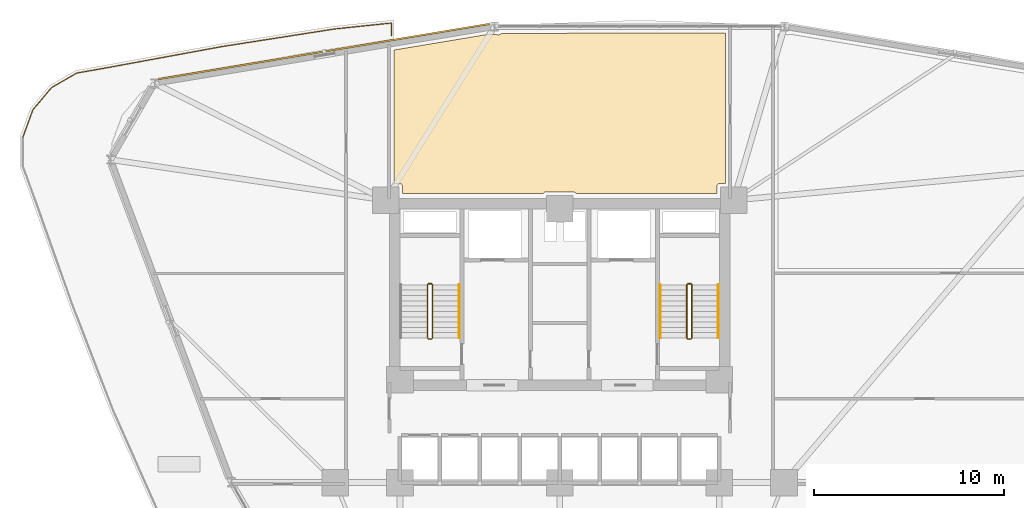
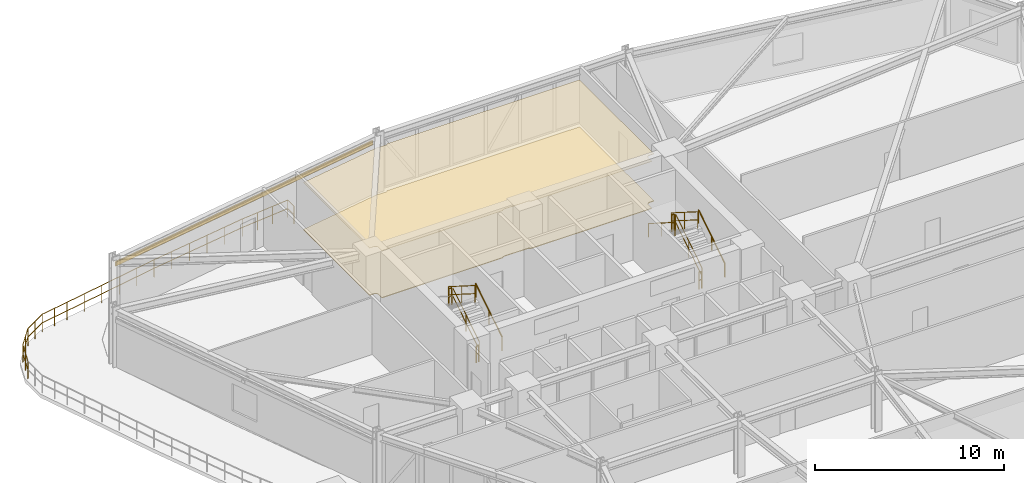
# One storey, part 20 of 21: 12 railings, 2 coverings, 1 shading device.
"""IFC4 building model written with IfcOpenShell, lengths in metres."""

from ifc_helpers import new_model, si_unit, derived_unit, direction, frame, origin, origin_2d, place, context, subcontext, project, spatial, polyline, hollow_rectangle, circle, outline, extrude, source, transform, mapped, material, layer, layer_set, material_profile, profile_set, type_object, element, save


model = new_model("IFC4")

# Units and contexts
model_context = context("Model", 3, precision=1e-05, world=origin(), true_north=direction((0.0, 1.0)))
body_context = subcontext(model_context, "Body", "Model", "MODEL_VIEW")
ifc_project = project(units=[si_unit("LENGTHUNIT", "METRE"), si_unit("AREAUNIT", "SQUARE_METRE"), si_unit("VOLUMEUNIT", "CUBIC_METRE"), si_unit("PLANEANGLEUNIT", "RADIAN"), si_unit("MASSUNIT", "GRAM", prefix="KILO"), derived_unit("THERMALTRANSMITTANCEUNIT", [(si_unit("POWERUNIT", "WATT"), 1), (si_unit("LENGTHUNIT", "METRE"), -2), (si_unit("THERMODYNAMICTEMPERATUREUNIT", "KELVIN"), -1)])], contexts=[model_context])

# Site, building, storey
site_placement = place(None, origin())
site = spatial("IfcSite", under=ifc_project, at=site_placement, CompositionType="ELEMENT")
building_placement = place(site_placement, origin())
building = spatial("IfcBuilding", under=site, at=building_placement, Name="Korsvarv Bourse and Concert Hall", CompositionType="ELEMENT")
storey_placement = place(building_placement, frame((0.0, 0.0, 63.89990234375)))
storey = spatial("IfcBuildingStorey", under=building, at=storey_placement, Name="L15", CompositionType="ELEMENT", Elevation=63.89990234375)

# Coverings
ifc_material_1 = material(Name="Perforated mineral-wool and birch acoustic baffle ceiling", Category="wood")
ifc_layer_1 = layer(ifc_material_1, 0.02490234375)
ifc_layer_set_1 = layer_set([ifc_layer_1], Name="Perforated mineral-wool and birch acoustic baffle ceiling")
covering_type_1 = type_object("IfcCoveringType", Name="COV-CEIL-1", PredefinedType="CEILING", material=ifc_layer_set_1)
covering_1_placement = place(storey_placement, frame((0.0, 0.0, 3.06005859375)))
element("IfcCovering", 1, at=covering_1_placement, inside=storey, type_object=covering_type_1, Name="L15 acoustic baffle ceiling 3", PredefinedType="CEILING", context=body_context, shape_type="SweptSolid", body=[
    extrude(outline(polyline([(32.266845703125, 55.98095703125), (32.2958984375, 55.968505859375), (32.329833984375, 55.961181640625), (32.78125, 55.94970703125), (32.81640625, 55.952392578125), (32.8505859375, 55.962158203125), (32.882080078125, 55.97802734375), (32.91015625, 56.0), (32.93310546875, 56.027099609375), (44.7099609375, 56.036865234375), (44.7099609375, 48.139892578125), (44.449951171875, 48.139892578125), (44.415283203125, 48.13671875), (44.3818359375, 48.126708984375), (44.35107421875, 48.1103515625), (44.323974609375, 48.08837890625), (44.301513671875, 48.061767578125), (44.28466796875, 48.03125), (44.274169921875, 47.998046875), (44.27001953125, 47.96337890625), (44.26318359375, 47.60009765625), (36.859619140625, 47.60009765625), (36.837646484375, 47.626708984375), (36.810791015625, 47.649169921875), (36.77978515625, 47.666015625), (36.74609375, 47.67626953125), (36.711181640625, 47.679931640625), (35.30126953125, 47.68994140625), (35.266357421875, 47.686767578125), (35.232421875, 47.677001953125), (35.201416015625, 47.66064453125), (35.174072265625, 47.638427734375), (35.1513671875, 47.611572265625), (27.739990234375, 47.60009765625), (27.739990234375, 47.949951171875), (27.736572265625, 47.984619140625), (27.726806640625, 48.01806640625), (27.71044921875, 48.048828125), (27.688720703125, 48.075927734375), (27.662109375, 48.098388671875), (27.631591796875, 48.114990234375), (27.598388671875, 48.125732421875), (27.56396484375, 48.1298828125), (27.2900390625, 48.135986328125), (27.2900390625, 55.151611328125), (32.266845703125, 55.98095703125)])), origin(), (0.0, 0.0, 1.0), 0.025146484375),
])
ifc_material_2 = material(Name="Calcium-sulphate raised access trading floor with Nordic oak top", Category="wood")
ifc_layer_2 = layer(ifc_material_2, 0.0400390625)
ifc_layer_set_2 = layer_set([ifc_layer_2], Name="Calcium-sulphate raised access trading floor with Nordic oak top")
covering_type_2 = type_object("IfcCoveringType", Name="COV-FLOR-1", PredefinedType="FLOORING", material=ifc_layer_set_2)
covering_2_placement = place(storey_placement, origin())
element("IfcCovering", 2, at=covering_2_placement, inside=storey, type_object=covering_type_2, Name="L15 raised access oak floor finish 3", PredefinedType="FLOORING", context=body_context, shape_type="SweptSolid", body=[
    extrude(outline(polyline([(32.266845703125, 55.98095703125), (32.2958984375, 55.968505859375), (32.329833984375, 55.961181640625), (32.78125, 55.94970703125), (32.81640625, 55.952392578125), (32.8505859375, 55.962158203125), (32.882080078125, 55.97802734375), (32.91015625, 56.0), (32.93310546875, 56.027099609375), (44.7099609375, 56.036865234375), (44.7099609375, 48.139892578125), (44.449951171875, 48.139892578125), (44.415283203125, 48.13671875), (44.3818359375, 48.126708984375), (44.35107421875, 48.1103515625), (44.323974609375, 48.08837890625), (44.301513671875, 48.061767578125), (44.28466796875, 48.03125), (44.274169921875, 47.998046875), (44.27001953125, 47.96337890625), (44.26318359375, 47.60009765625), (36.859619140625, 47.60009765625), (36.837646484375, 47.626708984375), (36.810791015625, 47.649169921875), (36.77978515625, 47.666015625), (36.74609375, 47.67626953125), (36.711181640625, 47.679931640625), (35.30126953125, 47.68994140625), (35.266357421875, 47.686767578125), (35.232421875, 47.677001953125), (35.201416015625, 47.66064453125), (35.174072265625, 47.638427734375), (35.1513671875, 47.611572265625), (27.739990234375, 47.60009765625), (27.739990234375, 47.949951171875), (27.736572265625, 47.984619140625), (27.726806640625, 48.01806640625), (27.71044921875, 48.048828125), (27.688720703125, 48.075927734375), (27.662109375, 48.098388671875), (27.631591796875, 48.114990234375), (27.598388671875, 48.125732421875), (27.56396484375, 48.1298828125), (27.2900390625, 48.135986328125), (27.2900390625, 55.151611328125), (32.266845703125, 55.98095703125)])), origin(), (0.0, 0.0, 1.0), 0.0400390625),
])

# Railings
ifc_material_3 = material(Name="Laminated safety glass and stainless Steel S355 balustrade", Category="steel")
railing_type_1 = type_object("IfcRailingType", Name="RL-BAL-EXT", PredefinedType="BALUSTRADE", material=ifc_material_3)
railing_1_placement = place(storey_placement, frame((7.767822265625, 50.55810546875, 0.0)))
element("IfcRailing", 3, at=railing_1_placement, inside=storey, type_object=railing_type_1, Name="L15 terrace perimeter balustrade SKYG1-1", PredefinedType="BALUSTRADE", context=body_context, shape_type="SweptSolid", body=[
    extrude(circle(Radius=0.02392578125, at=origin_2d()), frame((0.0, 0.0, 1.1259765625), z_axis=(0.342075807022, 0.93967235899, 0.0), x_axis=(-0.93967235899, 0.342075807022, 0.0)), (0.0, 0.0, 1.0), 1.531494140625),
    extrude(circle(Radius=0.02392578125, at=origin_2d()), frame((0.0, 0.0, 0.574951171875), z_axis=(0.342075807022, 0.93967235899, 0.0), x_axis=(-0.93967235899, 0.342075807022, 0.0)), (0.0, 0.0, 1.0), 1.531494140625),
    extrude(circle(Radius=0.02392578125, at=origin_2d()), frame((0.52392578125, 1.439208984375, 1.1259765625), z_axis=(0.642814469433, 0.766021904313, 0.0), x_axis=(-0.766021904313, 0.642814469433, 0.0)), (0.0, 0.0, 1.0), 1.53173828125),
    extrude(circle(Radius=0.02392578125, at=origin_2d()), frame((0.52392578125, 1.439208984375, 0.574951171875), z_axis=(0.642814469433, 0.766021904313, 0.0), x_axis=(-0.766021904313, 0.642814469433, 0.0)), (0.0, 0.0, 1.0), 1.53173828125),
    extrude(circle(Radius=0.02392578125, at=origin_2d()), frame((1.508544921875, 2.612548828125, 1.1259765625), z_axis=(0.866036909293, 0.499980071345, 0.0), x_axis=(-0.499980071345, 0.866036909293, 0.0)), (0.0, 0.0, 1.0), 1.53125),
    extrude(circle(Radius=0.02392578125, at=origin_2d()), frame((1.508544921875, 2.612548828125, 0.574951171875), z_axis=(0.866036909293, 0.499980071345, 0.0), x_axis=(-0.499980071345, 0.866036909293, 0.0)), (0.0, 0.0, 1.0), 1.53125),
    extrude(circle(Radius=0.02392578125, at=origin_2d()), frame((2.834716796875, 3.378173828125, 1.1259765625), z_axis=(0.984785004597, 0.17377714096, 0.0), x_axis=(-0.17377714096, 0.984785004597, 0.0)), (0.0, 0.0, 1.0), 1.699951171875),
    extrude(circle(Radius=0.02392578125, at=origin_2d()), frame((2.834716796875, 3.378173828125, 0.574951171875), z_axis=(0.984785004597, 0.17377714096, 0.0), x_axis=(-0.17377714096, 0.984785004597, 0.0)), (0.0, 0.0, 1.0), 1.699951171875),
    extrude(circle(Radius=0.02392578125, at=origin_2d()), frame((4.5087890625, 3.673583984375, 1.1259765625), z_axis=(0.983479359494, 0.181020301208, 0.0), x_axis=(-0.181020301208, 0.983479359494, 0.0)), (0.0, 0.0, 1.0), 6.0771484375),
    extrude(circle(Radius=0.02392578125, at=origin_2d()), frame((4.5087890625, 3.673583984375, 0.574951171875), z_axis=(0.983479359494, 0.181020301208, 0.0), x_axis=(-0.181020301208, 0.983479359494, 0.0)), (0.0, 0.0, 1.0), 6.0771484375),
    extrude(circle(Radius=0.02392578125, at=origin_2d()), frame((10.485595703125, 4.773681640625, 1.1259765625), z_axis=(0.988034300713, 0.154234304274, 0.0), x_axis=(-0.154234304274, 0.988034300713, 0.0)), (0.0, 0.0, 1.0), 6.007080078125),
    extrude(circle(Radius=0.02392578125, at=origin_2d()), frame((10.485595703125, 4.773681640625, 0.574951171875), z_axis=(0.988034300713, 0.154234304274, 0.0), x_axis=(-0.154234304274, 0.988034300713, 0.0)), (0.0, 0.0, 1.0), 6.007080078125),
    extrude(circle(Radius=0.02392578125, at=origin_2d()), frame((16.4208984375, 5.7001953125, 1.1259765625), z_axis=(0.994613654561, 0.10365171567, 0.0), x_axis=(-0.10365171567, 0.994613654561, 0.0)), (0.0, 0.0, 1.0), 2.977294921875),
    extrude(circle(Radius=0.02392578125, at=origin_2d()), frame((16.4208984375, 5.7001953125, 0.574951171875), z_axis=(0.994613654561, 0.10365171567, 0.0), x_axis=(-0.10365171567, 0.994613654561, 0.0)), (0.0, 0.0, 1.0), 2.977294921875),
    extrude(circle(Radius=0.02392578125, at=origin_2d()), frame((19.382080078125, 6.0087890625, 1.1259765625), z_axis=(0.0, -1.0, 0.0), x_axis=(1.0, 0.0, 0.0)), (0.0, 0.0, 1.0), 0.666748046875),
    extrude(circle(Radius=0.02392578125, at=origin_2d()), frame((19.382080078125, 6.0087890625, 0.574951171875), z_axis=(0.0, -1.0, 0.0), x_axis=(1.0, 0.0, 0.0)), (0.0, 0.0, 1.0), 0.666748046875),
    extrude(circle(Radius=0.02099609375, at=origin_2d()), origin(), (0.0, 0.0, 1.0), 1.101806640625),
    extrude(circle(Radius=0.02099609375, at=origin_2d()), frame((0.261962890625, 0.7197265625, 0.0)), (0.0, 0.0, 1.0), 1.101806640625),
    extrude(circle(Radius=0.02099609375, at=origin_2d()), frame((0.52392578125, 1.439208984375, 0.0)), (0.0, 0.0, 1.0), 1.101806640625),
    extrude(circle(Radius=0.02099609375, at=origin_2d()), frame((1.01611328125, 2.02587890625, 0.0)), (0.0, 0.0, 1.0), 1.101806640625),
    extrude(circle(Radius=0.02099609375, at=origin_2d()), frame((1.508544921875, 2.612548828125, 0.0)), (0.0, 0.0, 1.0), 1.101806640625),
    extrude(circle(Radius=0.02099609375, at=origin_2d()), frame((2.171630859375, 2.995361328125, 0.0)), (0.0, 0.0, 1.0), 1.101806640625),
    extrude(circle(Radius=0.02099609375, at=origin_2d()), frame((2.834716796875, 3.378173828125, 0.0)), (0.0, 0.0, 1.0), 1.101806640625),
    extrude(circle(Radius=0.02099609375, at=origin_2d()), frame((3.671875, 3.52587890625, 0.0)), (0.0, 0.0, 1.0), 1.101806640625),
    extrude(circle(Radius=0.02099609375, at=origin_2d()), frame((4.5087890625, 3.673583984375, 0.0)), (0.0, 0.0, 1.0), 1.101806640625),
    extrude(circle(Radius=0.02099609375, at=origin_2d()), frame((5.7041015625, 3.8935546875, 0.0)), (0.0, 0.0, 1.0), 1.101806640625),
    extrude(circle(Radius=0.02099609375, at=origin_2d()), frame((6.8994140625, 4.113525390625, 0.0)), (0.0, 0.0, 1.0), 1.101806640625),
    extrude(circle(Radius=0.02099609375, at=origin_2d()), frame((8.094970703125, 4.333740234375, 0.0)), (0.0, 0.0, 1.0), 1.101806640625),
    extrude(circle(Radius=0.02099609375, at=origin_2d()), frame((9.290283203125, 4.5537109375, 0.0)), (0.0, 0.0, 1.0), 1.101806640625),
    extrude(circle(Radius=0.02099609375, at=origin_2d()), frame((10.485595703125, 4.773681640625, 0.0)), (0.0, 0.0, 1.0), 1.101806640625),
    extrude(circle(Radius=0.02099609375, at=origin_2d()), frame((11.672607421875, 4.958984375, 0.0)), (0.0, 0.0, 1.0), 1.101806640625),
    extrude(circle(Radius=0.02099609375, at=origin_2d()), frame((12.859619140625, 5.144287109375, 0.0)), (0.0, 0.0, 1.0), 1.101806640625),
    extrude(circle(Radius=0.02099609375, at=origin_2d()), frame((14.046875, 5.32958984375, 0.0)), (0.0, 0.0, 1.0), 1.101806640625),
    extrude(circle(Radius=0.02099609375, at=origin_2d()), frame((15.23388671875, 5.514892578125, 0.0)), (0.0, 0.0, 1.0), 1.101806640625),
    extrude(circle(Radius=0.02099609375, at=origin_2d()), frame((16.4208984375, 5.7001953125, 0.0)), (0.0, 0.0, 1.0), 1.101806640625),
    extrude(circle(Radius=0.02099609375, at=origin_2d()), frame((17.407958984375, 5.802978515625, 0.0)), (0.0, 0.0, 1.0), 1.101806640625),
    extrude(circle(Radius=0.02099609375, at=origin_2d()), frame((18.39501953125, 5.906005859375, 0.0)), (0.0, 0.0, 1.0), 1.101806640625),
    extrude(circle(Radius=0.02099609375, at=origin_2d()), frame((19.382080078125, 6.0087890625, 0.0)), (0.0, 0.0, 1.0), 1.101806640625),
    extrude(circle(Radius=0.02099609375, at=origin_2d()), frame((19.382080078125, 5.342041015625, 0.0)), (0.0, 0.0, 1.0), 1.101806640625),
])
ifc_material_4 = material(Name="Painted Steel S355 stair well guardrail", Category="steel")
railing_type_2 = type_object("IfcRailingType", Name="RL-ST-GRD", PredefinedType="GUARDRAIL", material=ifc_material_4)
railing_2_placement = place(storey_placement, frame((29.31005859375, 40.0, 0.177490234375)))
element("IfcRailing", 4, at=railing_2_placement, inside=storey, type_object=railing_type_2, Name="L15 ST-T1 stair guard 1", PredefinedType="GUARDRAIL", context=body_context, shape_type="SweptSolid", body=[
    extrude(circle(Radius=0.02392578125, at=origin_2d()), frame((0.0, 0.0, 1.076171875), z_axis=(0.0, 0.844908973607, 0.534910110503), x_axis=(-1.0, 0.0, 0.0)), (0.0, 0.0, 1.0), 3.31396484375),
    extrude(circle(Radius=0.02392578125, at=origin_2d()), frame((0.0, 0.0, 0.550048828125), z_axis=(0.0, 0.844908973607, 0.534910110503), x_axis=(-1.0, 0.0, 0.0)), (0.0, 0.0, 1.0), 3.31396484375),
    extrude(circle(Radius=0.02099609375, at=origin_2d()), origin(), (0.0, 0.0, 1.0), 1.052001953125),
    extrude(circle(Radius=0.02099609375, at=origin_2d()), frame((0.0, 1.39990234375, 0.88623046875)), (0.0, 0.0, 1.0), 1.052001953125),
    extrude(circle(Radius=0.02099609375, at=origin_2d()), frame((0.0, 2.800048828125, 1.772705078125)), (0.0, 0.0, 1.0), 1.052001953125),
])
railing_3_placement = place(storey_placement, frame((29.260009765625, 42.85009765625, 1.9501953125)))
element("IfcRailing", 5, at=railing_3_placement, inside=storey, type_object=railing_type_2, Name="L15 ST-T1 stair guard 2", PredefinedType="GUARDRAIL", context=body_context, shape_type="SweptSolid", body=[
    extrude(circle(Radius=0.02392578125, at=origin_2d()), frame((0.0, 0.0, 1.076171875), z_axis=(-1.0, 0.0, 0.0), x_axis=(0.0, -1.0, 0.0)), (0.0, 0.0, 1.0), 0.159912109375),
    extrude(circle(Radius=0.02392578125, at=origin_2d()), frame((0.0, 0.0, 0.550048828125), z_axis=(-1.0, 0.0, 0.0), x_axis=(0.0, -1.0, 0.0)), (0.0, 0.0, 1.0), 0.159912109375),
    extrude(circle(Radius=0.02099609375, at=origin_2d()), origin(), (0.0, 0.0, 1.0), 1.052001953125),
    extrude(circle(Radius=0.02099609375, at=origin_2d()), frame((-0.159912109375, 0.0, 0.0)), (0.0, 0.0, 1.0), 1.052001953125),
])
railing_4_placement = place(storey_placement, frame((29.050048828125, 42.800048828125, 2.12744140625)))
element("IfcRailing", 6, at=railing_4_placement, inside=storey, type_object=railing_type_2, Name="L15 ST-T1 stair guard 3", PredefinedType="GUARDRAIL", context=body_context, shape_type="SweptSolid", body=[
    extrude(circle(Radius=0.02392578125, at=origin_2d()), frame((0.0, 0.0, 1.076171875), z_axis=(0.0, -0.844908973607, 0.534910110503), x_axis=(1.0, 0.0, 0.0)), (0.0, 0.0, 1.0), 3.31396484375),
    extrude(circle(Radius=0.02392578125, at=origin_2d()), frame((0.0, 0.0, 0.550048828125), z_axis=(0.0, -0.844908973607, 0.534910110503), x_axis=(1.0, 0.0, 0.0)), (0.0, 0.0, 1.0), 3.31396484375),
    extrude(circle(Radius=0.02099609375, at=origin_2d()), origin(), (0.0, 0.0, 1.0), 1.052001953125),
    extrude(circle(Radius=0.02099609375, at=origin_2d()), frame((0.0, -1.39990234375, 0.88623046875)), (0.0, 0.0, 1.0), 1.052001953125),
    extrude(circle(Radius=0.02099609375, at=origin_2d()), frame((0.0, -2.800048828125, 1.772705078125)), (0.0, 0.0, 1.0), 1.052001953125),
])
railing_5_placement = place(storey_placement, frame((29.260009765625, 39.949951171875, 0.0)))
element("IfcRailing", 7, at=railing_5_placement, inside=storey, type_object=railing_type_2, Name="L15 ST-T1 stair guard 4", PredefinedType="GUARDRAIL", context=body_context, shape_type="SweptSolid", body=[
    extrude(circle(Radius=0.02392578125, at=origin_2d()), frame((0.0, 0.0, 1.076171875), z_axis=(-1.0, 0.0, 0.0), x_axis=(0.0, -1.0, 0.0)), (0.0, 0.0, 1.0), 0.159912109375),
    extrude(circle(Radius=0.02392578125, at=origin_2d()), frame((0.0, 0.0, 0.550048828125), z_axis=(-1.0, 0.0, 0.0), x_axis=(0.0, -1.0, 0.0)), (0.0, 0.0, 1.0), 0.159912109375),
    extrude(circle(Radius=0.02099609375, at=origin_2d()), origin(), (0.0, 0.0, 1.0), 1.052001953125),
    extrude(circle(Radius=0.02099609375, at=origin_2d()), frame((-0.159912109375, 0.0, 0.0)), (0.0, 0.0, 1.0), 1.052001953125),
])
railing_6_placement = place(storey_placement, frame((42.949951171875, 40.0, 0.177490234375)))
element("IfcRailing", 8, at=railing_6_placement, inside=storey, type_object=railing_type_2, Name="L15 ST-T2 stair guard 1", PredefinedType="GUARDRAIL", context=body_context, shape_type="SweptSolid", body=[
    extrude(circle(Radius=0.02392578125, at=origin_2d()), frame((0.0, 0.0, 1.076171875), z_axis=(0.0, 0.844908973607, 0.534910110503), x_axis=(-1.0, 0.0, 0.0)), (0.0, 0.0, 1.0), 3.31396484375),
    extrude(circle(Radius=0.02392578125, at=origin_2d()), frame((0.0, 0.0, 0.550048828125), z_axis=(0.0, 0.844908973607, 0.534910110503), x_axis=(-1.0, 0.0, 0.0)), (0.0, 0.0, 1.0), 3.31396484375),
    extrude(circle(Radius=0.02099609375, at=origin_2d()), origin(), (0.0, 0.0, 1.0), 1.052001953125),
    extrude(circle(Radius=0.02099609375, at=origin_2d()), frame((0.0, 1.39990234375, 0.88623046875)), (0.0, 0.0, 1.0), 1.052001953125),
    extrude(circle(Radius=0.02099609375, at=origin_2d()), frame((0.0, 2.800048828125, 1.772705078125)), (0.0, 0.0, 1.0), 1.052001953125),
])
railing_7_placement = place(storey_placement, frame((42.89990234375, 42.85009765625, 1.9501953125)))
element("IfcRailing", 9, at=railing_7_placement, inside=storey, type_object=railing_type_2, Name="L15 ST-T2 stair guard 2", PredefinedType="GUARDRAIL", context=body_context, shape_type="SweptSolid", body=[
    extrude(circle(Radius=0.02392578125, at=origin_2d()), frame((0.0, 0.0, 1.076171875), z_axis=(-1.0, 0.0, 0.0), x_axis=(0.0, -1.0, 0.0)), (0.0, 0.0, 1.0), 0.159912109375),
    extrude(circle(Radius=0.02392578125, at=origin_2d()), frame((0.0, 0.0, 0.550048828125), z_axis=(-1.0, 0.0, 0.0), x_axis=(0.0, -1.0, 0.0)), (0.0, 0.0, 1.0), 0.159912109375),
    extrude(circle(Radius=0.02099609375, at=origin_2d()), origin(), (0.0, 0.0, 1.0), 1.052001953125),
    extrude(circle(Radius=0.02099609375, at=origin_2d()), frame((-0.159912109375, 0.0, 0.0)), (0.0, 0.0, 1.0), 1.052001953125),
])
railing_8_placement = place(storey_placement, frame((42.68994140625, 42.800048828125, 2.12744140625)))
element("IfcRailing", 10, at=railing_8_placement, inside=storey, type_object=railing_type_2, Name="L15 ST-T2 stair guard 3", PredefinedType="GUARDRAIL", context=body_context, shape_type="SweptSolid", body=[
    extrude(circle(Radius=0.02392578125, at=origin_2d()), frame((0.0, 0.0, 1.076171875), z_axis=(0.0, -0.844908973607, 0.534910110503), x_axis=(1.0, 0.0, 0.0)), (0.0, 0.0, 1.0), 3.31396484375),
    extrude(circle(Radius=0.02392578125, at=origin_2d()), frame((0.0, 0.0, 0.550048828125), z_axis=(0.0, -0.844908973607, 0.534910110503), x_axis=(1.0, 0.0, 0.0)), (0.0, 0.0, 1.0), 3.31396484375),
    extrude(circle(Radius=0.02099609375, at=origin_2d()), origin(), (0.0, 0.0, 1.0), 1.052001953125),
    extrude(circle(Radius=0.02099609375, at=origin_2d()), frame((0.0, -1.39990234375, 0.88623046875)), (0.0, 0.0, 1.0), 1.052001953125),
    extrude(circle(Radius=0.02099609375, at=origin_2d()), frame((0.0, -2.800048828125, 1.772705078125)), (0.0, 0.0, 1.0), 1.052001953125),
])
railing_9_placement = place(storey_placement, frame((42.89990234375, 39.949951171875, 0.0)))
element("IfcRailing", 11, at=railing_9_placement, inside=storey, type_object=railing_type_2, Name="L15 ST-T2 stair guard 4", PredefinedType="GUARDRAIL", context=body_context, shape_type="SweptSolid", body=[
    extrude(circle(Radius=0.02392578125, at=origin_2d()), frame((0.0, 0.0, 1.076171875), z_axis=(-1.0, 0.0, 0.0), x_axis=(0.0, -1.0, 0.0)), (0.0, 0.0, 1.0), 0.159912109375),
    extrude(circle(Radius=0.02392578125, at=origin_2d()), frame((0.0, 0.0, 0.550048828125), z_axis=(-1.0, 0.0, 0.0), x_axis=(0.0, -1.0, 0.0)), (0.0, 0.0, 1.0), 0.159912109375),
    extrude(circle(Radius=0.02099609375, at=origin_2d()), origin(), (0.0, 0.0, 1.0), 1.052001953125),
    extrude(circle(Radius=0.02099609375, at=origin_2d()), frame((-0.159912109375, 0.0, 0.0)), (0.0, 0.0, 1.0), 1.052001953125),
])
ifc_material_5 = material(Name="Brushed stainless Steel S355 tubular handrail", Category="steel")
railing_type_3 = type_object("IfcRailingType", Name="RL-ST-HND", PredefinedType="HANDRAIL", material=ifc_material_5)
for number, where, name in (
    (12, (30.7099609375, 40.0, 0.177490234375), "L15 ST-T1 stair handrail 1"),
    (13, (44.35009765625, 40.0, 0.177490234375), "L15 ST-T2 stair handrail 1"),
):
    element("IfcRailing", number, at=place(storey_placement, frame(where)), inside=storey, type_object=railing_type_3, Name=name, PredefinedType="HANDRAIL", context=body_context, shape_type="SweptSolid", body=[
        extrude(circle(Radius=0.02392578125, at=origin_2d()), frame((0.0, 0.0, 0.8759765625), z_axis=(0.0, 0.844908973607, 0.534910110503), x_axis=(-1.0, 0.0, 0.0)), (0.0, 0.0, 1.0), 3.31396484375),
        extrude(circle(Radius=0.02099609375, at=origin_2d()), origin(), (0.0, 0.0, 1.0), 0.851806640625),
        extrude(circle(Radius=0.02099609375, at=origin_2d()), frame((0.0, 1.39990234375, 0.88623046875)), (0.0, 0.0, 1.0), 0.851806640625),
        extrude(circle(Radius=0.02099609375, at=origin_2d()), frame((0.0, 2.800048828125, 1.772705078125)), (0.0, 0.0, 1.0), 0.851806640625),
    ])
railing_10_placement = place(storey_placement, frame((41.2900390625, 42.800048828125, 2.12744140625)))
element("IfcRailing", 14, at=railing_10_placement, inside=storey, type_object=railing_type_3, Name="L15 ST-T2 stair handrail 2", PredefinedType="HANDRAIL", context=body_context, shape_type="SweptSolid", body=[
    extrude(circle(Radius=0.02392578125, at=origin_2d()), frame((0.0, 0.0, 0.8759765625), z_axis=(0.0, -0.844908973607, 0.534910110503), x_axis=(1.0, 0.0, 0.0)), (0.0, 0.0, 1.0), 3.31396484375),
    extrude(circle(Radius=0.02099609375, at=origin_2d()), origin(), (0.0, 0.0, 1.0), 0.851806640625),
    extrude(circle(Radius=0.02099609375, at=origin_2d()), frame((0.0, -1.39990234375, 0.88623046875)), (0.0, 0.0, 1.0), 0.851806640625),
    extrude(circle(Radius=0.02099609375, at=origin_2d()), frame((0.0, -2.800048828125, 1.772705078125)), (0.0, 0.0, 1.0), 0.851806640625),
])

# Shading device
ifc_material_6 = material(Name="Glazed extruded architectural terracotta", Category="ceramic")
ifc_material_profile = material_profile(ifc_material_6, hollow_rectangle(XDim=0.090087890625, YDim=0.260009765625, WallThickness=0.011962890625, at=origin_2d()), Name="TC-BAG 90x260")
ifc_profile_set = profile_set([ifc_material_profile], Name="Glazed extruded architectural terracotta")
shading_device_type = type_object("IfcShadingDeviceType", Name="SHD-BAG-1", PredefinedType="USERDEFINED", material=ifc_profile_set)
shared_shape = source(origin(), body_context, "Body", "SweptSolid", [
    extrude(hollow_rectangle(XDim=0.090087890625, YDim=0.260009765625, WallThickness=0.011962890625, at=origin_2d()), origin(), (0.0, 0.0, 1.0), 17.677490234375),
])
shading_device_placement = place(storey_placement, frame((32.325927734375, 56.523193359375, 3.070068359375), z_axis=(-0.986397656237, -0.16437659131, 0.0), x_axis=(0.16437659131, -0.986397656237, 0.0)))
element("IfcShadingDevice", 15, at=shading_device_placement, inside=storey, type_object=shading_device_type, Name="L15 terracotta baguette sunshade EW-L15-B04", ObjectType="BAGUETTE", PredefinedType="USERDEFINED", context=body_context, shape_type="MappedRepresentation", body=[
    mapped(shared_shape, transform((0.0, 0.0, 0.0), scale=1.0)),
])

save(model, "model.ifc")
